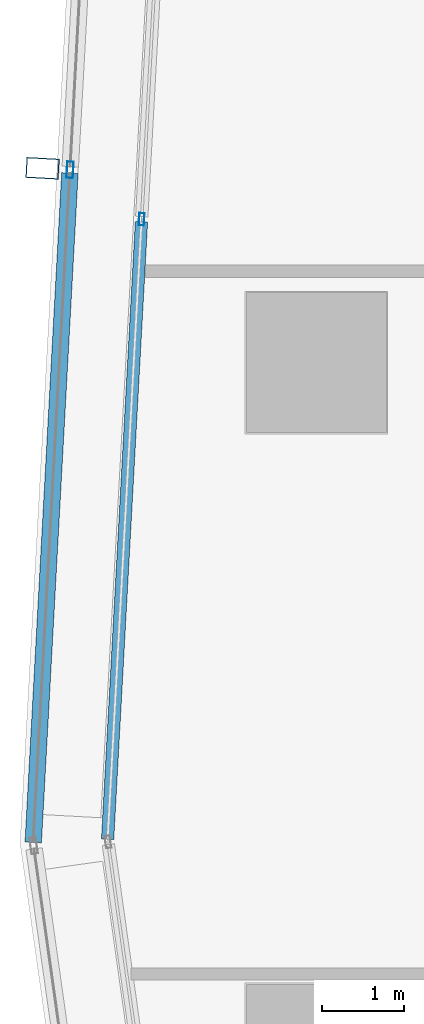
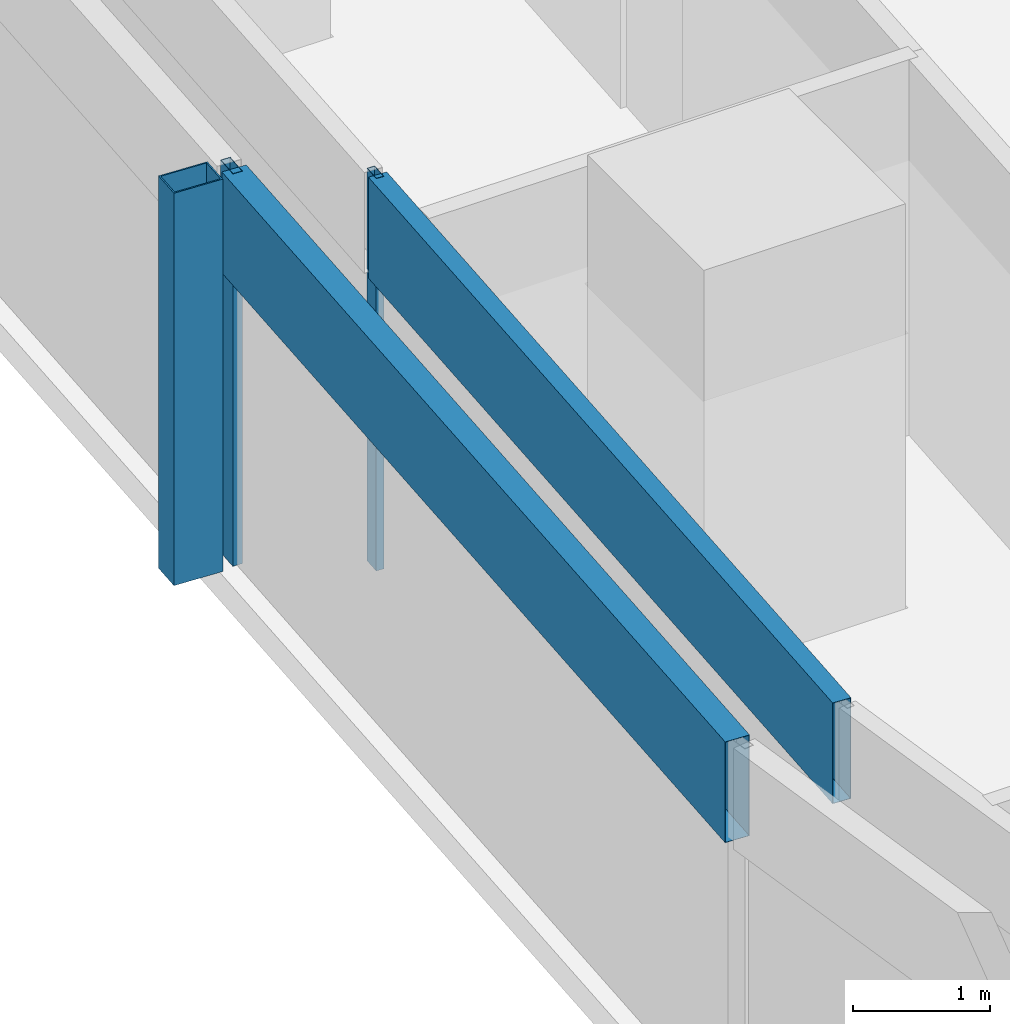
# One storey, part 7 of 40: 5 members, 2 elements without a shape of their own.
"""IFC4 building model written with IfcOpenShell, lengths in metres."""

from ifc_helpers import new_model, si_unit, direction, frame, origin, origin_2d, place, context, subcontext, project, spatial, hollow_rectangle, extrude, material, material_profile, profile_set, type_object, element, aggregate, save


model = new_model("IFC4")

# Units and contexts
model_context = context("Model", 3, precision=1e-05, world=origin(), true_north=direction((0.0, 1.0)))
body_context = subcontext(model_context, "Body", "Model", "MODEL_VIEW")
ifc_project = project(units=[si_unit("LENGTHUNIT", "METRE"), si_unit("AREAUNIT", "SQUARE_METRE"), si_unit("VOLUMEUNIT", "CUBIC_METRE"), si_unit("PLANEANGLEUNIT", "RADIAN"), si_unit("MASSUNIT", "GRAM", prefix="KILO")], contexts=[model_context])

# Site, building, storey
site_placement = place(None, origin())
site = spatial("IfcSite", under=ifc_project, at=site_placement, CompositionType="ELEMENT")
building_placement = place(site_placement, origin())
building = spatial("IfcBuilding", under=site, at=building_placement, Name="Rekha Terrace Tower", CompositionType="ELEMENT")
storey_placement = place(building_placement, frame((0.0, 0.0, 129.050048828125)))
storey = spatial("IfcBuildingStorey", under=building, at=storey_placement, Name="L32", CompositionType="ELEMENT", Elevation=129.050048828125)

# Curtain wall, member
ifc_material_1 = material(Name="Aluminium framing", Category="aluminium")
curtain_wall_type_1 = type_object("IfcCurtainWallType", Name="CW2 double skin outer glazing", PredefinedType="USERDEFINED", material=ifc_material_1)
curtain_wall_1_placement = place(storey_placement, origin())
curtain_wall_1 = element("IfcCurtainWall", 1, at=curtain_wall_1_placement, inside=storey, type_object=curtain_wall_type_1, Name="CW2 double skin outer glazing", ObjectType="DOUBLE SKIN OUTER GLAZING", PredefinedType="USERDEFINED")
ifc_material_2 = material(Name="Steel S355 with fluorocarbon finish", Category="steel")
ifc_material_profile_1 = material_profile(ifc_material_2, hollow_rectangle(XDim=0.25, YDim=0.39990234375, WallThickness=0.012451171875, at=origin_2d()), Name="RHS400x250x12.5")
ifc_profile_set_1 = profile_set([ifc_material_profile_1], Name="Steel S355 with fluorocarbon finish")
member_type_1 = type_object("IfcMemberType", Name="BL1 facade blade RHS 400 x 250", PredefinedType="USERDEFINED", material=ifc_profile_set_1)
member_1_placement = place(storey_placement, frame((5.073974609375, 35.9609375, 0.0), z_axis=(0.0, 0.0, 1.0), x_axis=(-0.054742798353, -0.998500488747, 0.0)))
member_1 = element("IfcMember", 2, at=member_1_placement, type_object=member_type_1, Name="Facade blade", ObjectType="FACADE BLADE", PredefinedType="USERDEFINED", context=body_context, shape_type="SweptSolid", body=[
    extrude(hollow_rectangle(XDim=0.25, YDim=0.39990234375, WallThickness=0.012451171875, at=origin_2d()), origin(), (0.0, 0.0, 1.0), 3.5),
])

# Curtain wall, members
curtain_wall_type_2 = type_object("IfcCurtainWallType", Name="CW1 double skin inner glazing", PredefinedType="USERDEFINED", material=ifc_material_1)
curtain_wall_2_placement = place(storey_placement, origin())
curtain_wall_2 = element("IfcCurtainWall", 3, at=curtain_wall_2_placement, inside=storey, type_object=curtain_wall_type_2, Name="CW1 double skin inner glazing", ObjectType="DOUBLE SKIN INNER GLAZING", PredefinedType="USERDEFINED")
ifc_material_3 = material(Name="Aluminium mullion section", Category="aluminium")
ifc_material_profile_2 = material_profile(ifc_material_3, hollow_rectangle(XDim=0.06494140625, YDim=0.14990234375, WallThickness=0.00390625, at=origin_2d()), Name="AL RHS 65x150")
ifc_profile_set_2 = profile_set([ifc_material_profile_2], Name="Aluminium mullion section")
member_type_2 = type_object("IfcMemberType", Name="CW1 mullion RHS 65 x 150", PredefinedType="MULLION", material=ifc_profile_set_2)
member_2_placement = place(storey_placement, frame((6.27685546875, 35.343017578125, 0.0), z_axis=(0.0, 0.0, 1.0), x_axis=(0.99850051318, -0.054742352707, 0.0)))
member_2 = element("IfcMember", 4, at=member_2_placement, type_object=member_type_2, Name="CW1 mullion 4", PredefinedType="MULLION", context=body_context, shape_type="SweptSolid", body=[
    extrude(hollow_rectangle(XDim=0.06494140625, YDim=0.14990234375, WallThickness=0.00390625, at=origin_2d()), origin(), (0.0, 0.0, 1.0), 3.5),
])
ifc_material_4 = material(Name="Insulated aluminium spandrel box", Category="aluminium")
ifc_material_profile_3 = material_profile(ifc_material_4, hollow_rectangle(XDim=0.14990234375, YDim=0.89990234375, WallThickness=0.0029296875, at=origin_2d()), Name="AL SPANDREL BOX 150x900")
ifc_profile_set_3 = profile_set([ifc_material_profile_3], Name="Insulated aluminium spandrel box")
member_type_3 = type_object("IfcMemberType", Name="CW1 spandrel transom 150 x 900", PredefinedType="USERDEFINED", material=ifc_profile_set_3)
member_3_placement = place(storey_placement, frame((6.275146484375, 35.310546875, 3.050048828125), z_axis=(-0.054756855706, -0.998499717953, 0.0), x_axis=(0.998499717953, -0.054756855706, 0.0)))
member_3 = element("IfcMember", 5, at=member_3_placement, type_object=member_type_3, Name="CW1 spandrel transom 4", ObjectType="TRANSOM", PredefinedType="USERDEFINED", context=body_context, shape_type="SweptSolid", body=[
    extrude(hollow_rectangle(XDim=0.14990234375, YDim=0.89990234375, WallThickness=0.0029296875, at=origin_2d()), origin(), (0.0, 0.0, 1.0), 7.50830078125),
])
aggregate(curtain_wall_2, [member_2, member_3])

# Member
ifc_material_profile_4 = material_profile(ifc_material_3, hollow_rectangle(XDim=0.080078125, YDim=0.199951171875, WallThickness=0.00390625, at=origin_2d()), Name="AL RHS 80x200")
ifc_profile_set_4 = profile_set([ifc_material_profile_4], Name="Aluminium mullion section")
member_type_4 = type_object("IfcMemberType", Name="CW2 mullion RHS 80 x 200", PredefinedType="MULLION", material=ifc_profile_set_4)
member_4_placement = place(storey_placement, frame((5.408447265625, 35.942626953125, 0.0), z_axis=(0.0, 0.0, 1.0), x_axis=(0.99850051318, -0.054742352707, 0.0)))
member_4 = element("IfcMember", 6, at=member_4_placement, type_object=member_type_4, Name="CW2 mullion 4", PredefinedType="MULLION", context=body_context, shape_type="SweptSolid", body=[
    extrude(hollow_rectangle(XDim=0.080078125, YDim=0.199951171875, WallThickness=0.00390625, at=origin_2d()), origin(), (0.0, 0.0, 1.0), 3.5),
])

ifc_material_profile_5 = material_profile(ifc_material_4, hollow_rectangle(XDim=0.199951171875, YDim=0.89990234375, WallThickness=0.0029296875, at=origin_2d()), Name="AL SPANDREL BOX 200x900")
ifc_profile_set_5 = profile_set([ifc_material_profile_5], Name="Insulated aluminium spandrel box")
member_type_5 = type_object("IfcMemberType", Name="CW2 spandrel transom 200 x 900", PredefinedType="USERDEFINED", material=ifc_profile_set_5)
member_5_placement = place(storey_placement, frame((5.40625, 35.902587890625, 3.050048828125), z_axis=(-0.054737434401, -0.998500782812, 0.0), x_axis=(0.998500782812, -0.054737434401, 0.0)))
member_5 = element("IfcMember", 7, at=member_5_placement, type_object=member_type_5, Name="CW2 spandrel transom 4", ObjectType="TRANSOM", PredefinedType="USERDEFINED", context=body_context, shape_type="SweptSolid", body=[
    extrude(hollow_rectangle(XDim=0.199951171875, YDim=0.89990234375, WallThickness=0.0029296875, at=origin_2d()), origin(), (0.0, 0.0, 1.0), 8.139892578125),
])

aggregate(curtain_wall_1, [member_4, member_5, member_1])

save(model, "model.ifc")
